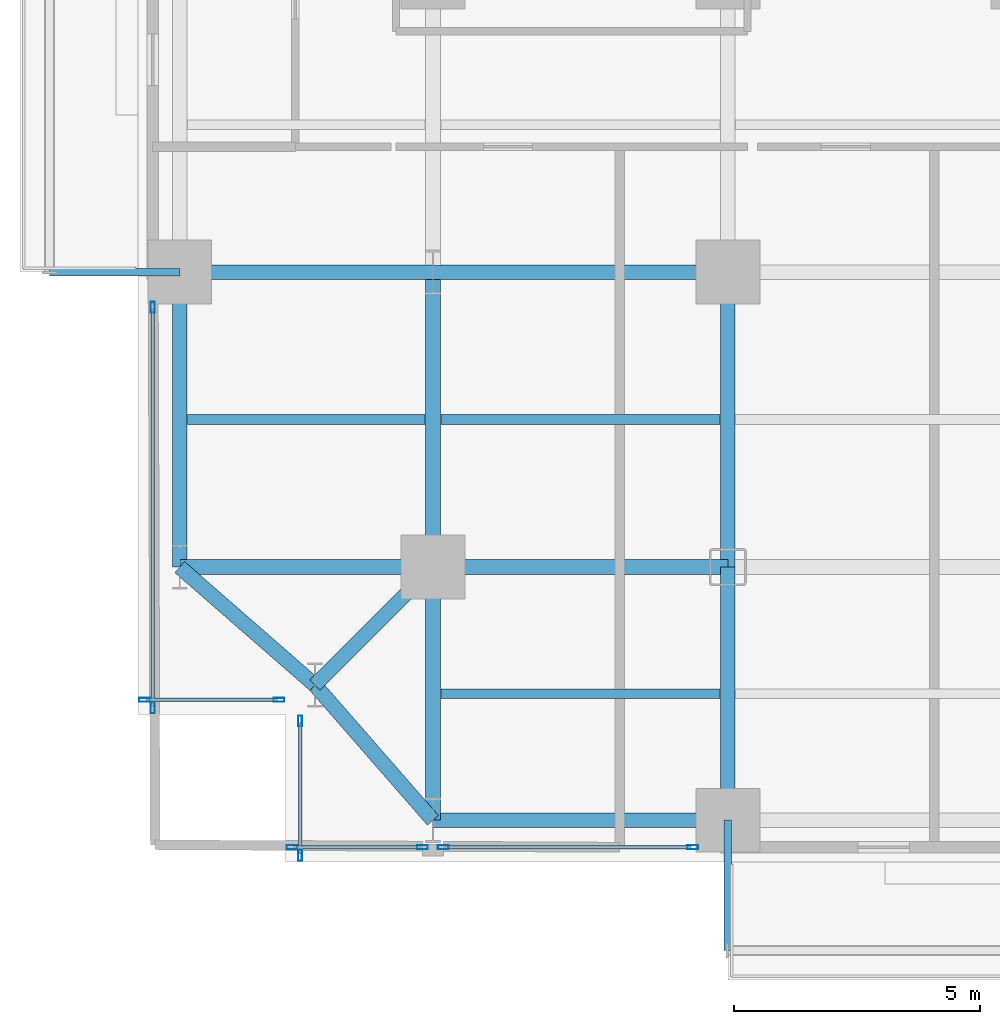
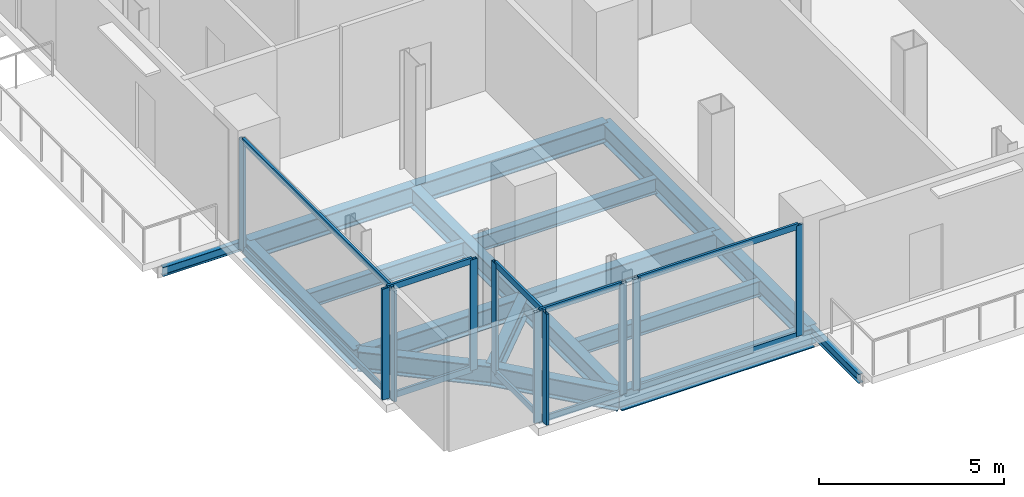
# One storey, part 2 of 25: 20 members, 18 beams, 5 elements without a shape of their own.
"""IFC4 building model written with IfcOpenShell, lengths in metres."""

import ifcopenshell
import ifcopenshell.guid

model = None  # the IFC model being written
_history = None  # IfcOwnerHistory: only IFC2X3 demands one
_inside = {}  # id of a spatial element -> (the spatial element, [elements in it])
_under = {}  # id of a project, library or spatial element -> (it, [spatial elements below it])
_declared = {}  # id of a project -> (the project, [libraries it declares])
_typed = {}  # id of a type object -> (the type object, [elements of that type])
_made_of = {}  # id of a material, layer set ... -> (it, [elements and type objects made of it])


def new_model(schema):
    """Start an empty IFC model of exactly this schema.

    Asked for "IFC4X3", IfcOpenShell would pick the latest addendum, in which some entities
    have other attributes; the version numbers below select the first issue.
    IFC2X3 requires an IfcOwnerHistory on every rooted entity: one is made here for all.
    """
    global model, _history
    if schema == "IFC4X3":
        model = ifcopenshell.file(schema_version=(4, 3, 0, 0))
    else:
        model = ifcopenshell.file(schema=schema)
    _inside.clear()
    _under.clear()
    _declared.clear()
    _typed.clear()
    _made_of.clear()
    _history = None
    if model.schema == "IFC2X3":
        org = make("IfcOrganization", Name="unknown")
        user = make(
            "IfcPersonAndOrganization",
            ThePerson=make("IfcPerson", FamilyName="unknown"),
            TheOrganization=org,
        )
        app = make(
            "IfcApplication",
            ApplicationDeveloper=org,
            Version="unknown",
            ApplicationFullName="unknown",
            ApplicationIdentifier="unknown",
        )
        _history = make(
            "IfcOwnerHistory",
            OwningUser=user,
            OwningApplication=app,
            ChangeAction="ADDED",
            CreationDate=0,
        )
    return model


def make(cls, **values):
    """One entity of the class cls with the attributes given. An attribute that is None is left unset."""
    return model.create_entity(
        cls, **{name: value for name, value in values.items() if value is not None}
    )


def rooted(cls, **values):
    """An entity with a GlobalId (a new one), such as an element, a storey or a relation."""
    return make(cls, GlobalId=ifcopenshell.guid.new(), OwnerHistory=_history, **values)


def si_unit(unit_type, name, prefix=None):
    """IfcSIUnit, for example si_unit("LENGTHUNIT", "METRE", prefix="MILLI")."""
    return make("IfcSIUnit", UnitType=unit_type, Prefix=prefix, Name=name)


def assignment(units):
    """IfcUnitAssignment: the units of a project."""
    return None if units is None else make("IfcUnitAssignment", Units=units)


def point(xyz):
    """IfcCartesianPoint."""
    return None if xyz is None else make("IfcCartesianPoint", Coordinates=xyz)


def direction(xyz):
    """IfcDirection."""
    return None if xyz is None else make("IfcDirection", DirectionRatios=xyz)


def frame(location, z_axis=None, x_axis=None):
    """IfcAxis2Placement3D, a coordinate frame: its origin and axes. An axis left out is left unset."""
    return make(
        "IfcAxis2Placement3D",
        Location=point(location),
        Axis=direction(z_axis),
        RefDirection=direction(x_axis),
    )


def frame_2d(location, x_axis=None):
    """IfcAxis2Placement2D, a coordinate frame in the plane: its origin and x axis."""
    return make(
        "IfcAxis2Placement2D", Location=point(location), RefDirection=direction(x_axis)
    )


def origin():
    """The frame at (0, 0, 0) with its axes left unset."""
    return frame((0.0, 0.0, 0.0))


def origin_2d():
    """The frame at (0, 0) in the plane with its x axis left unset."""
    return frame_2d((0.0, 0.0))


def place(relative_to, where):
    """IfcLocalPlacement: puts the frame where relative to a parent placement (None: the world)."""
    return make(
        "IfcLocalPlacement", PlacementRelTo=relative_to, RelativePlacement=where
    )


def context(
    kind, dimensions, precision=None, world=None, true_north=None, identifier=None
):
    """IfcGeometricRepresentationContext, for example the 3D "Model" context."""
    return make(
        "IfcGeometricRepresentationContext",
        ContextIdentifier=identifier,
        ContextType=kind,
        CoordinateSpaceDimension=dimensions,
        Precision=precision,
        WorldCoordinateSystem=world,
        TrueNorth=true_north,
    )


def subcontext(parent, identifier, kind, view, scale=None):
    """IfcGeometricRepresentationSubContext, for example "Body" below "Model"."""
    return make(
        "IfcGeometricRepresentationSubContext",
        ContextIdentifier=identifier,
        ContextType=kind,
        ParentContext=parent,
        TargetScale=scale,
        TargetView=view,
    )


def project(units=None, contexts=None):
    """IfcProject with its units and contexts."""
    return rooted(
        "IfcProject",
        Name="project",
        RepresentationContexts=contexts,
        UnitsInContext=assignment(units),
    )


def spatial(cls, under=None, at=None, **own):
    """A site, building, storey or space (cls), placed at a placement, below another one or the project."""
    s = rooted(cls, ObjectPlacement=at, **own)
    if under is not None:
        _under.setdefault(under.id(), (under, []))[1].append(s)
    return s


def profile(cls, at=None, kind="AREA", **sizes):
    """A parametric profile (cls). Its sizes go by their IFC names, for example OverallWidth=200.0."""
    return make(cls, ProfileType=kind, Position=at, **sizes)


def hollow_rectangle(**sizes):
    """IfcRectangleHollowProfileDef."""
    return profile("IfcRectangleHollowProfileDef", **sizes)


def i_section(**sizes):
    """IfcIShapeProfileDef."""
    return profile("IfcIShapeProfileDef", **sizes)


def extrude(swept, where, along, depth):
    """IfcExtrudedAreaSolid: the profile swept, set in the frame where, extruded along a direction by depth."""
    return make(
        "IfcExtrudedAreaSolid",
        SweptArea=swept,
        Position=where,
        ExtrudedDirection=direction(along),
        Depth=depth,
    )


def shape(context_of_items, identifier, shape_type, items):
    """IfcShapeRepresentation: the items that make up one representation, for example the "Body"."""
    return make(
        "IfcShapeRepresentation",
        ContextOfItems=context_of_items,
        RepresentationIdentifier=identifier,
        RepresentationType=shape_type,
        Items=items,
    )


def material(Name=None, Category=None):
    """IfcMaterial."""
    return make("IfcMaterial", Name=Name, Category=Category)


def layer(
    of_material, thickness, ventilated=None, Name=None, Category=None, Priority=None
):
    """IfcMaterialLayer: one layer of a wall or slab, of a material (None: an air gap)."""
    return make(
        "IfcMaterialLayer",
        Material=of_material,
        LayerThickness=thickness,
        IsVentilated=ventilated,
        Name=Name,
        Category=Category,
        Priority=Priority,
    )


def layer_set(layers, Name=None):
    """IfcMaterialLayerSet."""
    return make("IfcMaterialLayerSet", MaterialLayers=layers, LayerSetName=Name)


def material_profile(
    of_material, cross_section, Name=None, Category=None, Priority=None
):
    """IfcMaterialProfile: a cross section and its material."""
    return make(
        "IfcMaterialProfile",
        Name=Name,
        Material=of_material,
        Profile=cross_section,
        Priority=Priority,
        Category=Category,
    )


def profile_set(profiles, Name=None, composite=None):
    """IfcMaterialProfileSet."""
    return make(
        "IfcMaterialProfileSet",
        Name=Name,
        MaterialProfiles=profiles,
        CompositeProfile=composite,
    )


def made_of(thing, what):
    """Note that an element or type object is made of a material, layer set ...; save() writes the relation."""
    if what is not None:
        _made_of.setdefault(what.id(), (what, []))[1].append(thing)
    return thing


def type_object(cls, material=None, **own):
    """A type object (cls), such as IfcWallType, which elements share."""
    return made_of(rooted(cls, **own), material)


def element(
    cls,
    number,
    at=None,
    inside=None,
    cuts=None,
    type_object=None,
    material=None,
    context=None,
    identifier="Body",
    shape_type=None,
    held_by="IfcProductDefinitionShape",
    body=None,
    shapes=None,
    **own,
):
    """One element of the class cls, such as IfcWall. Its Tag is "e" and its number.

    at: its placement. inside: the storey or other place that contains it. cuts: it is an
    opening in that element (IfcRelVoidsElement). A single representation is given by context,
    identifier, shape_type and body (its items); several are given by shapes. held_by: the class
    of the entity that holds the representations. save() writes the other relations.
    """
    e = rooted(cls, Tag="e%d" % number, ObjectPlacement=at, **own)
    if body is not None:
        shapes = [shape(context, identifier, shape_type, body)]
    if shapes is not None:
        e.Representation = make(held_by, Representations=shapes)
    if inside is not None:
        _inside.setdefault(inside.id(), (inside, []))[1].append(e)
    if cuts is not None:
        rooted(
            "IfcRelVoidsElement", RelatingBuildingElement=cuts, RelatedOpeningElement=e
        )
    if type_object is not None:
        _typed.setdefault(type_object.id(), (type_object, []))[1].append(e)
    return made_of(e, material)


def aggregate(whole, parts):
    """IfcRelAggregates: a whole, such as a stair, and the parts it consists of."""
    return rooted("IfcRelAggregates", RelatingObject=whole, RelatedObjects=parts)


def save(model, path):
    """Write the relations noted so far, then the file.

    IfcRelAggregates (storeys below a building ...), IfcRelContainedInSpatialStructure (elements
    in a storey), IfcRelDefinesByType, IfcRelAssociatesMaterial and IfcRelDeclares: one each for
    every whole, place, type object, material and project.
    """
    for whole, parts in _under.values():
        aggregate(whole, parts)
    for where, things in _inside.values():
        rooted(
            "IfcRelContainedInSpatialStructure",
            RelatedElements=things,
            RelatingStructure=where,
        )
    for kind, things in _typed.values():
        rooted("IfcRelDefinesByType", RelatedObjects=things, RelatingType=kind)
    for what, things in _made_of.values():
        rooted("IfcRelAssociatesMaterial", RelatedObjects=things, RelatingMaterial=what)
    for by, libraries in _declared.values():
        rooted("IfcRelDeclares", RelatingContext=by, RelatedDefinitions=libraries)
    model.write(path)


model = new_model("IFC4")

# Units and contexts
model_context = context("Model", 3, precision=1e-05, world=origin(), true_north=direction((0.0, 1.0)))
body_context = subcontext(model_context, "Body", "Model", "MODEL_VIEW")
ifc_project = project(units=[si_unit("LENGTHUNIT", "METRE"), si_unit("AREAUNIT", "SQUARE_METRE"), si_unit("VOLUMEUNIT", "CUBIC_METRE"), si_unit("PLANEANGLEUNIT", "RADIAN"), si_unit("MASSUNIT", "GRAM", prefix="KILO"), si_unit("THERMODYNAMICTEMPERATUREUNIT", "KELVIN"), si_unit("POWERUNIT", "WATT")], contexts=[model_context])

# Site, building, storey
site_placement = place(None, origin())
site = spatial("IfcSite", under=ifc_project, at=site_placement, CompositionType="ELEMENT")
building_placement = place(site_placement, origin())
building = spatial("IfcBuilding", under=site, at=building_placement, Name="Svarakhadi Broadcast Tower", CompositionType="ELEMENT")
storey_placement = place(building_placement, frame((0.0, 0.0, 67.5)))
storey = spatial("IfcBuildingStorey", under=building, at=storey_placement, Name="L15", CompositionType="ELEMENT", Elevation=67.5)

# Beams
ifc_material_1 = material(Name="Steel S355J2 (IS 2062 E350C)", Category="steel")
ifc_material_profile_1 = material_profile(ifc_material_1, i_section(OverallWidth=0.199951171875, OverallDepth=0.5, WebThickness=0.01025390625, FlangeThickness=0.01611328125, FilletRadius=0.02099609375, at=origin_2d()), Name="NPB 500x200x91")
ifc_profile_set_1 = profile_set([ifc_material_profile_1], Name="Steel S355J2 (IS 2062 E350C)")
beam_type_1 = type_object("IfcBeamType", Name="Beam_NPB500", PredefinedType="BEAM", material=ifc_profile_set_1)
beam_1_placement = place(storey_placement, frame((1.010009765625, 9.0, -0.5), z_axis=(1.0, 0.0, 0.0), x_axis=(0.0, 1.0, 0.0)))
element("IfcBeam", 1, at=beam_1_placement, inside=storey, type_object=beam_type_1, Name="L15 Secondary Composite Beam SB001", PredefinedType="BEAM", context=body_context, shape_type="SweptSolid", body=[
    extrude(i_section(OverallWidth=0.199951171875, OverallDepth=0.5, WebThickness=0.01025390625, FlangeThickness=0.01611328125, FilletRadius=0.02099609375, at=origin_2d()), origin(), (0.0, 0.0, 1.0), 4.830078125),
])
for number, where, z_axis, x_axis, name in (
    (2, (6.159912109375, 3.425048828125, -0.5), (1.0, 0.0, 0.0), (0.0, 1.0, 0.0), "L15 Secondary Composite Beam SB007"),
    (3, (6.159912109375, 9.0, -0.5), (1.0, 0.0, 0.0), (0.0, 1.0, 0.0), "L15 Secondary Composite Beam SB008"),
):
    element("IfcBeam", number, at=place(storey_placement, frame(where, z_axis=z_axis, x_axis=x_axis)), inside=storey, type_object=beam_type_1, Name=name, PredefinedType="BEAM", context=body_context, shape_type="SweptSolid", body=[
        extrude(i_section(OverallWidth=0.199951171875, OverallDepth=0.5, WebThickness=0.01025390625, FlangeThickness=0.01611328125, FilletRadius=0.02099609375, at=origin_2d()), origin(), (0.0, 0.0, 1.0), 5.68017578125),
    ])

# Curtain wall, members
ifc_material_2 = material(Name="Anodised Bronze Aluminium AA 6063-T6", Category="aluminium")
ifc_layer = layer(ifc_material_2, 0.219970703125)
ifc_layer_set = layer_set([ifc_layer], Name="Anodised Bronze Aluminium AA 6063-T6")
curtain_wall_type = type_object("IfcCurtainWallType", Name="CW_Sys_02", PredefinedType="NOTDEFINED", material=ifc_layer_set)
curtain_wall_1_placement = place(storey_placement, origin())
curtain_wall_1 = element("IfcCurtainWall", 4, at=curtain_wall_1_placement, inside=storey, type_object=curtain_wall_type, Name="L15 Unitised Facade Curtain Wall 01", PredefinedType="NOTDEFINED")
ifc_material_profile_2 = material_profile(ifc_material_2, hollow_rectangle(XDim=0.0849609375, YDim=0.219970703125, WallThickness=0.006103515625, at=origin_2d()), Name="ALU MULLION 220x85x6")
ifc_profile_set_2 = profile_set([ifc_material_profile_2], Name="Anodised Bronze Aluminium AA 6063-T6")
member_type_1 = type_object("IfcMemberType", Name="CW_Sys_02_Mul", PredefinedType="MULLION", material=ifc_profile_set_2)
member_1_placement = place(storey_placement, frame((2.867431640625, 3.300048828125, 0.0), z_axis=(0.0, 0.0, 1.0), x_axis=(0.0, -1.0, 0.0)))
member_1 = element("IfcMember", 5, at=member_1_placement, type_object=member_type_1, Name="CW-02 mullion 1", PredefinedType="MULLION", context=body_context, shape_type="SweptSolid", body=[
    extrude(hollow_rectangle(XDim=0.0849609375, YDim=0.219970703125, WallThickness=0.006103515625, at=origin_2d()), origin(), (0.0, 0.0, 1.0), 3.64990234375),
])
member_2_placement = place(storey_placement, frame((0.132568359375, 3.300048828125, 0.0), z_axis=(0.0, 0.0, 1.0), x_axis=(0.0, -1.0, 0.0)))
member_2 = element("IfcMember", 6, at=member_2_placement, type_object=member_type_1, Name="CW-02 mullion 2", PredefinedType="MULLION", context=body_context, shape_type="SweptSolid", body=[
    extrude(hollow_rectangle(XDim=0.0849609375, YDim=0.219970703125, WallThickness=0.006103515625, at=origin_2d()), origin(), (0.0, 0.0, 1.0), 3.64990234375),
])

curtain_wall_2_placement = place(storey_placement, origin())
curtain_wall_2 = element("IfcCurtainWall", 7, at=curtain_wall_2_placement, inside=storey, type_object=curtain_wall_type, Name="L15 West Curtain Wall 02", PredefinedType="NOTDEFINED")
member_3_placement = place(storey_placement, frame((0.300048828125, 3.132568359375, 0.0), z_axis=(0.0, 0.0, 1.0), x_axis=(-1.0, 0.0, 0.0)))
member_3 = element("IfcMember", 8, at=member_3_placement, type_object=member_type_1, Name="CW-02 mullion 1", PredefinedType="MULLION", context=body_context, shape_type="SweptSolid", body=[
    extrude(hollow_rectangle(XDim=0.0849609375, YDim=0.219970703125, WallThickness=0.006103515625, at=origin_2d()), origin(), (0.0, 0.0, 1.0), 3.64990234375),
])
member_4_placement = place(storey_placement, frame((0.300048828125, 11.28759765625, 0.0), z_axis=(0.0, 0.0, 1.0), x_axis=(-1.0, 0.0, 0.0)))
member_4 = element("IfcMember", 9, at=member_4_placement, type_object=member_type_1, Name="CW-02 mullion 2", PredefinedType="MULLION", context=body_context, shape_type="SweptSolid", body=[
    extrude(hollow_rectangle(XDim=0.0849609375, YDim=0.219970703125, WallThickness=0.006103515625, at=origin_2d()), origin(), (0.0, 0.0, 1.0), 3.64990234375),
])

curtain_wall_3_placement = place(storey_placement, origin())
curtain_wall_3 = element("IfcCurtainWall", 10, at=curtain_wall_3_placement, inside=storey, type_object=curtain_wall_type, Name="L15 South Curtain Wall 17 Bay 1", PredefinedType="NOTDEFINED")
member_5_placement = place(storey_placement, frame((11.28759765625, 0.300048828125, 0.0), z_axis=(0.0, 0.0, 1.0), x_axis=(0.0, -1.0, 0.0)))
member_5 = element("IfcMember", 11, at=member_5_placement, type_object=member_type_1, Name="CW-02 mullion 1", PredefinedType="MULLION", context=body_context, shape_type="SweptSolid", body=[
    extrude(hollow_rectangle(XDim=0.0849609375, YDim=0.219970703125, WallThickness=0.006103515625, at=origin_2d()), origin(), (0.0, 0.0, 1.0), 3.64990234375),
])
member_6_placement = place(storey_placement, frame((6.21240234375, 0.300048828125, 0.0), z_axis=(0.0, 0.0, 1.0), x_axis=(0.0, -1.0, 0.0)))
member_6 = element("IfcMember", 12, at=member_6_placement, type_object=member_type_1, Name="CW-02 mullion 2", PredefinedType="MULLION", context=body_context, shape_type="SweptSolid", body=[
    extrude(hollow_rectangle(XDim=0.0849609375, YDim=0.219970703125, WallThickness=0.006103515625, at=origin_2d()), origin(), (0.0, 0.0, 1.0), 3.64990234375),
])

curtain_wall_4_placement = place(storey_placement, origin())
curtain_wall_4 = element("IfcCurtainWall", 13, at=curtain_wall_4_placement, inside=storey, type_object=curtain_wall_type, Name="L15 South Curtain Wall 17 Bay 2", PredefinedType="NOTDEFINED")
member_7_placement = place(storey_placement, frame((5.78759765625, 0.300048828125, 0.0), z_axis=(0.0, 0.0, 1.0), x_axis=(0.0, -1.0, 0.0)))
member_7 = element("IfcMember", 14, at=member_7_placement, type_object=member_type_1, Name="CW-02 mullion 1", PredefinedType="MULLION", context=body_context, shape_type="SweptSolid", body=[
    extrude(hollow_rectangle(XDim=0.0849609375, YDim=0.219970703125, WallThickness=0.006103515625, at=origin_2d()), origin(), (0.0, 0.0, 1.0), 3.64990234375),
])
member_8_placement = place(storey_placement, frame((3.132568359375, 0.300048828125, 0.0), z_axis=(0.0, 0.0, 1.0), x_axis=(0.0, -1.0, 0.0)))
member_8 = element("IfcMember", 15, at=member_8_placement, type_object=member_type_1, Name="CW-02 mullion 2", PredefinedType="MULLION", context=body_context, shape_type="SweptSolid", body=[
    extrude(hollow_rectangle(XDim=0.0849609375, YDim=0.219970703125, WallThickness=0.006103515625, at=origin_2d()), origin(), (0.0, 0.0, 1.0), 3.64990234375),
])

curtain_wall_5_placement = place(storey_placement, origin())
curtain_wall_5 = element("IfcCurtainWall", 16, at=curtain_wall_5_placement, inside=storey, type_object=curtain_wall_type, Name="L15 Unitised Facade Curtain Wall 18", PredefinedType="NOTDEFINED")
member_9_placement = place(storey_placement, frame((3.300048828125, 0.132568359375, 0.0), z_axis=(0.0, 0.0, 1.0), x_axis=(-1.0, 0.0, 0.0)))
member_9 = element("IfcMember", 17, at=member_9_placement, type_object=member_type_1, Name="CW-02 mullion 1", PredefinedType="MULLION", context=body_context, shape_type="SweptSolid", body=[
    extrude(hollow_rectangle(XDim=0.0849609375, YDim=0.219970703125, WallThickness=0.006103515625, at=origin_2d()), origin(), (0.0, 0.0, 1.0), 3.64990234375),
])
member_10_placement = place(storey_placement, frame((3.300048828125, 2.867431640625, 0.0), z_axis=(0.0, 0.0, 1.0), x_axis=(-1.0, 0.0, 0.0)))
member_10 = element("IfcMember", 18, at=member_10_placement, type_object=member_type_1, Name="CW-02 mullion 2", PredefinedType="MULLION", context=body_context, shape_type="SweptSolid", body=[
    extrude(hollow_rectangle(XDim=0.0849609375, YDim=0.219970703125, WallThickness=0.006103515625, at=origin_2d()), origin(), (0.0, 0.0, 1.0), 3.64990234375),
])

# Member
ifc_material_profile_3 = material_profile(ifc_material_2, hollow_rectangle(XDim=0.074951171875, YDim=0.199951171875, WallThickness=0.0048828125, at=origin_2d()), Name="ALU TRANSOM 200x75x5")
ifc_profile_set_3 = profile_set([ifc_material_profile_3], Name="Anodised Bronze Aluminium AA 6063-T6")
member_type_2 = type_object("IfcMemberType", Name="CW_Sys_02_Trn", PredefinedType="USERDEFINED", material=ifc_profile_set_3)
member_11_placement = place(storey_placement, frame((2.824951171875, 3.300048828125, 0.03759765625), z_axis=(-1.0, 0.0, 0.0), x_axis=(0.0, -1.0, 0.0)))
member_11 = element("IfcMember", 19, at=member_11_placement, type_object=member_type_2, Name="CW-02 transom 1.1", ObjectType="TRANSOM", PredefinedType="USERDEFINED", context=body_context, shape_type="SweptSolid", body=[
    extrude(hollow_rectangle(XDim=0.074951171875, YDim=0.199951171875, WallThickness=0.0048828125, at=origin_2d()), origin(), (0.0, 0.0, 1.0), 2.64990234375),
])

member_12_placement = place(storey_placement, frame((2.824951171875, 3.300048828125, 3.612548828125), z_axis=(-1.0, 0.0, 0.0), x_axis=(0.0, -1.0, 0.0)))
member_12 = element("IfcMember", 20, at=member_12_placement, type_object=member_type_2, Name="CW-02 transom 1.2", ObjectType="TRANSOM", PredefinedType="USERDEFINED", context=body_context, shape_type="SweptSolid", body=[
    extrude(hollow_rectangle(XDim=0.074951171875, YDim=0.199951171875, WallThickness=0.0048828125, at=origin_2d()), origin(), (0.0, 0.0, 1.0), 2.64990234375),
])

aggregate(curtain_wall_1, [member_1, member_2, member_11, member_12])

member_13_placement = place(storey_placement, frame((0.300048828125, 3.175048828125, 0.03759765625), z_axis=(0.0, 1.0, 0.0), x_axis=(-1.0, 0.0, 0.0)))
member_13 = element("IfcMember", 21, at=member_13_placement, type_object=member_type_2, Name="CW-02 transom 1.1", ObjectType="TRANSOM", PredefinedType="USERDEFINED", context=body_context, shape_type="SweptSolid", body=[
    extrude(hollow_rectangle(XDim=0.074951171875, YDim=0.199951171875, WallThickness=0.0048828125, at=origin_2d()), origin(), (0.0, 0.0, 1.0), 8.070068359375),
])

member_14_placement = place(storey_placement, frame((0.300048828125, 3.175048828125, 3.612548828125), z_axis=(0.0, 1.0, 0.0), x_axis=(-1.0, 0.0, 0.0)))
member_14 = element("IfcMember", 22, at=member_14_placement, type_object=member_type_2, Name="CW-02 transom 1.2", ObjectType="TRANSOM", PredefinedType="USERDEFINED", context=body_context, shape_type="SweptSolid", body=[
    extrude(hollow_rectangle(XDim=0.074951171875, YDim=0.199951171875, WallThickness=0.0048828125, at=origin_2d()), origin(), (0.0, 0.0, 1.0), 8.070068359375),
])

aggregate(curtain_wall_2, [member_3, member_4, member_13, member_14])

member_15_placement = place(storey_placement, frame((11.2451171875, 0.300048828125, 0.03759765625), z_axis=(-1.0, 0.0, 0.0), x_axis=(0.0, -1.0, 0.0)))
member_15 = element("IfcMember", 23, at=member_15_placement, type_object=member_type_2, Name="CW-02 transom 1.1", ObjectType="TRANSOM", PredefinedType="USERDEFINED", context=body_context, shape_type="SweptSolid", body=[
    extrude(hollow_rectangle(XDim=0.074951171875, YDim=0.199951171875, WallThickness=0.0048828125, at=origin_2d()), origin(), (0.0, 0.0, 1.0), 4.990234375),
])

member_16_placement = place(storey_placement, frame((11.2451171875, 0.300048828125, 3.612548828125), z_axis=(-1.0, 0.0, 0.0), x_axis=(0.0, -1.0, 0.0)))
member_16 = element("IfcMember", 24, at=member_16_placement, type_object=member_type_2, Name="CW-02 transom 1.2", ObjectType="TRANSOM", PredefinedType="USERDEFINED", context=body_context, shape_type="SweptSolid", body=[
    extrude(hollow_rectangle(XDim=0.074951171875, YDim=0.199951171875, WallThickness=0.0048828125, at=origin_2d()), origin(), (0.0, 0.0, 1.0), 4.990234375),
])

aggregate(curtain_wall_3, [member_5, member_6, member_15, member_16])

member_17_placement = place(storey_placement, frame((5.7451171875, 0.300048828125, 0.03759765625), z_axis=(-1.0, 0.0, 0.0), x_axis=(0.0, -1.0, 0.0)))
member_17 = element("IfcMember", 25, at=member_17_placement, type_object=member_type_2, Name="CW-02 transom 1.1", ObjectType="TRANSOM", PredefinedType="USERDEFINED", context=body_context, shape_type="SweptSolid", body=[
    extrude(hollow_rectangle(XDim=0.074951171875, YDim=0.199951171875, WallThickness=0.0048828125, at=origin_2d()), origin(), (0.0, 0.0, 1.0), 2.570068359375),
])

member_18_placement = place(storey_placement, frame((5.7451171875, 0.300048828125, 3.612548828125), z_axis=(-1.0, 0.0, 0.0), x_axis=(0.0, -1.0, 0.0)))
member_18 = element("IfcMember", 26, at=member_18_placement, type_object=member_type_2, Name="CW-02 transom 1.2", ObjectType="TRANSOM", PredefinedType="USERDEFINED", context=body_context, shape_type="SweptSolid", body=[
    extrude(hollow_rectangle(XDim=0.074951171875, YDim=0.199951171875, WallThickness=0.0048828125, at=origin_2d()), origin(), (0.0, 0.0, 1.0), 2.570068359375),
])

aggregate(curtain_wall_4, [member_7, member_8, member_17, member_18])

member_19_placement = place(storey_placement, frame((3.300048828125, 0.175048828125, 0.03759765625), z_axis=(0.0, 1.0, 0.0), x_axis=(-1.0, 0.0, 0.0)))
member_19 = element("IfcMember", 27, at=member_19_placement, type_object=member_type_2, Name="CW-02 transom 1.1", ObjectType="TRANSOM", PredefinedType="USERDEFINED", context=body_context, shape_type="SweptSolid", body=[
    extrude(hollow_rectangle(XDim=0.074951171875, YDim=0.199951171875, WallThickness=0.0048828125, at=origin_2d()), origin(), (0.0, 0.0, 1.0), 2.64990234375),
])

member_20_placement = place(storey_placement, frame((3.300048828125, 0.175048828125, 3.612548828125), z_axis=(0.0, 1.0, 0.0), x_axis=(-1.0, 0.0, 0.0)))
member_20 = element("IfcMember", 28, at=member_20_placement, type_object=member_type_2, Name="CW-02 transom 1.2", ObjectType="TRANSOM", PredefinedType="USERDEFINED", context=body_context, shape_type="SweptSolid", body=[
    extrude(hollow_rectangle(XDim=0.074951171875, YDim=0.199951171875, WallThickness=0.0048828125, at=origin_2d()), origin(), (0.0, 0.0, 1.0), 2.64990234375),
])

aggregate(curtain_wall_5, [member_9, member_10, member_19, member_20])

# Beams
ifc_material_profile_4 = material_profile(ifc_material_1, i_section(OverallWidth=0.300048828125, OverallDepth=0.64990234375, WebThickness=0.01611328125, FlangeThickness=0.031005859375, FilletRadius=0.027099609375, at=origin_2d()), Name="WPB 650x300x225")
ifc_profile_set_4 = profile_set([ifc_material_profile_4], Name="Steel S355J2 (IS 2062 E350C)")
beam_type_2 = type_object("IfcBeamType", Name="Girder_WPB650", PredefinedType="USERDEFINED", material=ifc_profile_set_4)
beam_2_placement = place(storey_placement, frame((3.60009765625, 3.60009765625, -0.574951171875), z_axis=(0.707106781187, 0.707106781187, 0.0), x_axis=(-0.707106781187, 0.707106781187, 0.0)))
element("IfcBeam", 29, at=beam_2_placement, inside=storey, type_object=beam_type_2, Name="L15 Corner Tie Girder G001", ObjectType="GIRDER", PredefinedType="USERDEFINED", context=body_context, shape_type="SweptSolid", body=[
    extrude(i_section(OverallWidth=0.300048828125, OverallDepth=0.64990234375, WebThickness=0.01611328125, FlangeThickness=0.031005859375, FilletRadius=0.027099609375, at=origin_2d()), origin(), (0.0, 0.0, 1.0), 3.39404296875),
])
for number, where, z_axis, x_axis, name in (
    (30, (3.60009765625, 3.60009765625, -0.574951171875), (-0.753437912176, 0.657519058655, 0.0), (-0.657519058655, -0.753437912176, 0.0), "L15 Corner Tie Girder G002"),
    (31, (3.60009765625, 3.60009765625, -0.574951171875), (0.657519058655, -0.753437912176, 0.0), (0.753437912176, 0.657519058655, 0.0), "L15 Corner Tie Girder G003"),
):
    element("IfcBeam", number, at=place(storey_placement, frame(where, z_axis=z_axis, x_axis=x_axis)), inside=storey, type_object=beam_type_2, Name=name, ObjectType="GIRDER", PredefinedType="USERDEFINED", context=body_context, shape_type="SweptSolid", body=[
        extrude(i_section(OverallWidth=0.300048828125, OverallDepth=0.64990234375, WebThickness=0.01611328125, FlangeThickness=0.031005859375, FilletRadius=0.027099609375, at=origin_2d()), origin(), (0.0, 0.0, 1.0), 3.64990234375),
    ])
beam_3_placement = place(storey_placement, frame((6.0, 0.85009765625, -0.574951171875), z_axis=(1.0, 0.0, 0.0), x_axis=(0.0, 1.0, 0.0)))
element("IfcBeam", 32, at=beam_3_placement, inside=storey, type_object=beam_type_2, Name="L15 Primary E-W Girder G004", ObjectType="GIRDER", PredefinedType="USERDEFINED", context=body_context, shape_type="SweptSolid", body=[
    extrude(i_section(OverallWidth=0.300048828125, OverallDepth=0.64990234375, WebThickness=0.01611328125, FlangeThickness=0.031005859375, FilletRadius=0.027099609375, at=origin_2d()), origin(), (0.0, 0.0, 1.0), 6.0),
])
beam_4_placement = place(storey_placement, frame((0.85009765625, 6.0, -0.574951171875), z_axis=(1.0, 0.0, 0.0), x_axis=(0.0, 1.0, 0.0)))
element("IfcBeam", 33, at=beam_4_placement, inside=storey, type_object=beam_type_2, Name="L15 Primary E-W Girder G011", ObjectType="GIRDER", PredefinedType="USERDEFINED", context=body_context, shape_type="SweptSolid", body=[
    extrude(i_section(OverallWidth=0.300048828125, OverallDepth=0.64990234375, WebThickness=0.01611328125, FlangeThickness=0.031005859375, FilletRadius=0.027099609375, at=origin_2d()), origin(), (0.0, 0.0, 1.0), 5.14990234375),
])
beam_5_placement = place(storey_placement, frame((6.0, 6.0, -0.574951171875), z_axis=(1.0, 0.0, 0.0), x_axis=(0.0, 1.0, 0.0)))
element("IfcBeam", 34, at=beam_5_placement, inside=storey, type_object=beam_type_2, Name="L15 Primary E-W Girder G012", ObjectType="GIRDER", PredefinedType="USERDEFINED", context=body_context, shape_type="SweptSolid", body=[
    extrude(i_section(OverallWidth=0.300048828125, OverallDepth=0.64990234375, WebThickness=0.01611328125, FlangeThickness=0.031005859375, FilletRadius=0.027099609375, at=origin_2d()), origin(), (0.0, 0.0, 1.0), 6.0),
])
beam_6_placement = place(storey_placement, frame((0.85009765625, 12.0, -0.574951171875), z_axis=(1.0, 0.0, 0.0), x_axis=(0.0, 1.0, 0.0)))
element("IfcBeam", 35, at=beam_6_placement, inside=storey, type_object=beam_type_2, Name="L15 Primary E-W Girder G019", ObjectType="GIRDER", PredefinedType="USERDEFINED", context=body_context, shape_type="SweptSolid", body=[
    extrude(i_section(OverallWidth=0.300048828125, OverallDepth=0.64990234375, WebThickness=0.01611328125, FlangeThickness=0.031005859375, FilletRadius=0.027099609375, at=origin_2d()), origin(), (0.0, 0.0, 1.0), 5.14990234375),
])
for number, where, z_axis, x_axis, name in (
    (36, (6.0, 12.0, -0.574951171875), (1.0, 0.0, 0.0), (0.0, 1.0, 0.0), "L15 Primary E-W Girder G020"),
    (37, (0.85009765625, 6.0, -0.574951171875), (0.0, 1.0, 0.0), (-1.0, 0.0, 0.0), "L15 Primary N-S Girder G045"),
):
    element("IfcBeam", number, at=place(storey_placement, frame(where, z_axis=z_axis, x_axis=x_axis)), inside=storey, type_object=beam_type_2, Name=name, ObjectType="GIRDER", PredefinedType="USERDEFINED", context=body_context, shape_type="SweptSolid", body=[
        extrude(i_section(OverallWidth=0.300048828125, OverallDepth=0.64990234375, WebThickness=0.01611328125, FlangeThickness=0.031005859375, FilletRadius=0.027099609375, at=origin_2d()), origin(), (0.0, 0.0, 1.0), 6.0),
    ])
beam_7_placement = place(storey_placement, frame((6.0, 0.85009765625, -0.574951171875), z_axis=(0.0, 1.0, 0.0), x_axis=(-1.0, 0.0, 0.0)))
element("IfcBeam", 38, at=beam_7_placement, inside=storey, type_object=beam_type_2, Name="L15 Primary N-S Girder G051", ObjectType="GIRDER", PredefinedType="USERDEFINED", context=body_context, shape_type="SweptSolid", body=[
    extrude(i_section(OverallWidth=0.300048828125, OverallDepth=0.64990234375, WebThickness=0.01611328125, FlangeThickness=0.031005859375, FilletRadius=0.027099609375, at=origin_2d()), origin(), (0.0, 0.0, 1.0), 5.14990234375),
])
beam_8_placement = place(storey_placement, frame((6.0, 6.0, -0.574951171875), z_axis=(0.0, 1.0, 0.0), x_axis=(-1.0, 0.0, 0.0)))
element("IfcBeam", 39, at=beam_8_placement, inside=storey, type_object=beam_type_2, Name="L15 Primary N-S Girder G052", ObjectType="GIRDER", PredefinedType="USERDEFINED", context=body_context, shape_type="SweptSolid", body=[
    extrude(i_section(OverallWidth=0.300048828125, OverallDepth=0.64990234375, WebThickness=0.01611328125, FlangeThickness=0.031005859375, FilletRadius=0.027099609375, at=origin_2d()), origin(), (0.0, 0.0, 1.0), 6.0),
])
beam_9_placement = place(storey_placement, frame((12.0, 0.85009765625, -0.574951171875), z_axis=(0.0, 1.0, 0.0), x_axis=(-1.0, 0.0, 0.0)))
element("IfcBeam", 40, at=beam_9_placement, inside=storey, type_object=beam_type_2, Name="L15 Primary N-S Girder G058", ObjectType="GIRDER", PredefinedType="USERDEFINED", context=body_context, shape_type="SweptSolid", body=[
    extrude(i_section(OverallWidth=0.300048828125, OverallDepth=0.64990234375, WebThickness=0.01611328125, FlangeThickness=0.031005859375, FilletRadius=0.027099609375, at=origin_2d()), origin(), (0.0, 0.0, 1.0), 5.14990234375),
])
beam_10_placement = place(storey_placement, frame((12.0, 6.0, -0.574951171875), z_axis=(0.0, 1.0, 0.0), x_axis=(-1.0, 0.0, 0.0)))
element("IfcBeam", 41, at=beam_10_placement, inside=storey, type_object=beam_type_2, Name="L15 Primary N-S Girder G059", ObjectType="GIRDER", PredefinedType="USERDEFINED", context=body_context, shape_type="SweptSolid", body=[
    extrude(i_section(OverallWidth=0.300048828125, OverallDepth=0.64990234375, WebThickness=0.01611328125, FlangeThickness=0.031005859375, FilletRadius=0.027099609375, at=origin_2d()), origin(), (0.0, 0.0, 1.0), 6.0),
])
ifc_material_profile_5 = material_profile(ifc_material_1, i_section(OverallWidth=0.14990234375, OverallDepth=0.300048828125, WebThickness=0.007080078125, FlangeThickness=0.0107421875, FilletRadius=0.014892578125, at=origin_2d()), Name="NPB 300x150x37")
ifc_profile_set_5 = profile_set([ifc_material_profile_5], Name="Steel S355J2 (IS 2062 E350C)")
beam_type_3 = type_object("IfcBeamType", Name="Spandrel_NPB300", PredefinedType="SPANDREL", material=ifc_profile_set_5)
for number, where, z_axis, x_axis, name in (
    (42, (12.0, 0.85009765625, -0.39990234375), (0.0, -1.0, 0.0), (1.0, 0.0, 0.0), "L15 Balcony Cantilever Bracket 1A"),
    (43, (0.85009765625, 12.0, -0.39990234375), (-1.0, 0.0, 0.0), (0.0, -1.0, 0.0), "L15 Balcony Cantilever Bracket 2A"),
):
    element("IfcBeam", number, at=place(storey_placement, frame(where, z_axis=z_axis, x_axis=x_axis)), inside=storey, type_object=beam_type_3, Name=name, PredefinedType="SPANDREL", context=body_context, shape_type="SweptSolid", body=[
        extrude(i_section(OverallWidth=0.14990234375, OverallDepth=0.300048828125, WebThickness=0.007080078125, FlangeThickness=0.0107421875, FilletRadius=0.014892578125, at=origin_2d()), origin(), (0.0, 0.0, 1.0), 2.650146484375),
    ])

save(model, "model.ifc")
